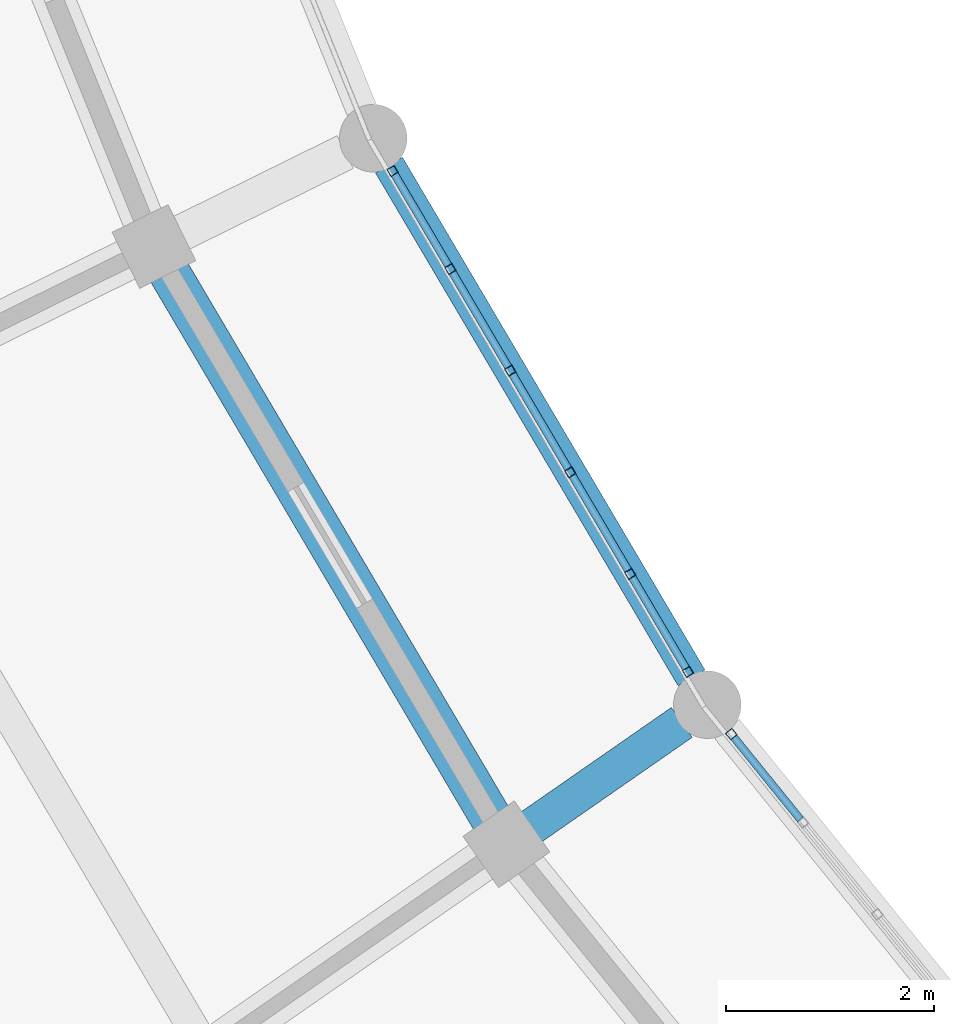
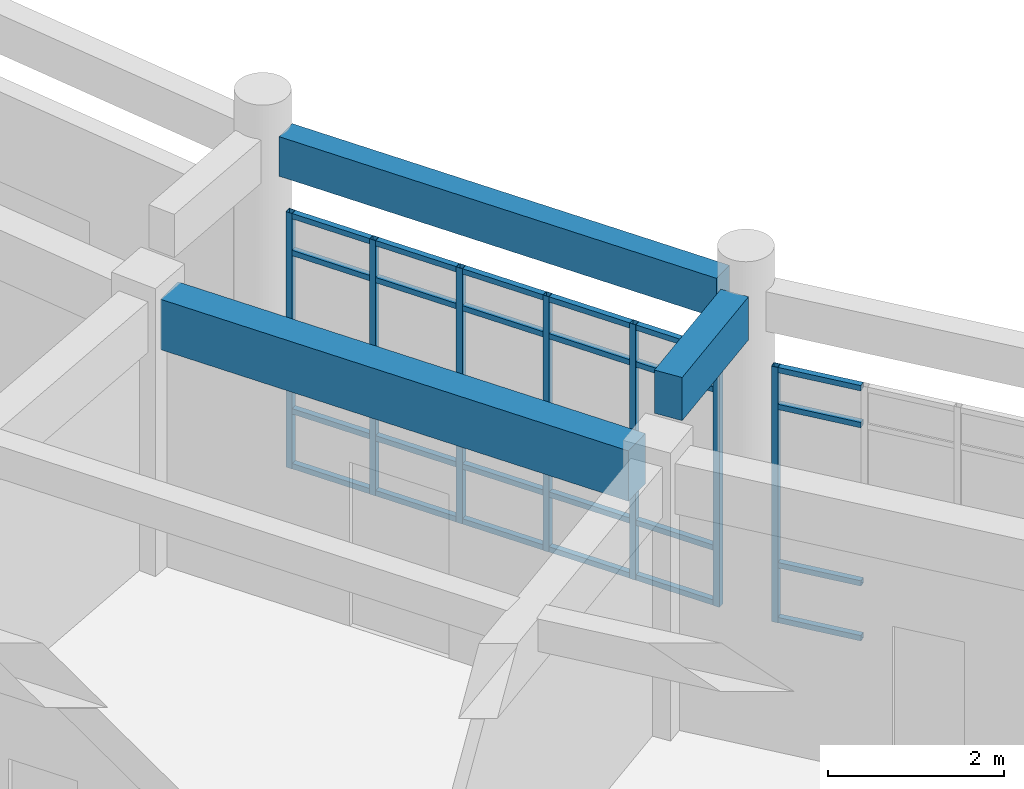
# One storey, part 25 of 159: 31 members, 3 beams, 2 elements without a shape of their own.
"""IFC4 building model written with IfcOpenShell, lengths in metres."""

import ifcopenshell
import ifcopenshell.guid

model = None  # the IFC model being written
_history = None  # IfcOwnerHistory: only IFC2X3 demands one
_inside = {}  # id of a spatial element -> (the spatial element, [elements in it])
_under = {}  # id of a project, library or spatial element -> (it, [spatial elements below it])
_declared = {}  # id of a project -> (the project, [libraries it declares])
_typed = {}  # id of a type object -> (the type object, [elements of that type])
_made_of = {}  # id of a material, layer set ... -> (it, [elements and type objects made of it])


def new_model(schema):
    """Start an empty IFC model of exactly this schema.

    Asked for "IFC4X3", IfcOpenShell would pick the latest addendum, in which some entities
    have other attributes; the version numbers below select the first issue.
    IFC2X3 requires an IfcOwnerHistory on every rooted entity: one is made here for all.
    """
    global model, _history
    if schema == "IFC4X3":
        model = ifcopenshell.file(schema_version=(4, 3, 0, 0))
    else:
        model = ifcopenshell.file(schema=schema)
    _inside.clear()
    _under.clear()
    _declared.clear()
    _typed.clear()
    _made_of.clear()
    _history = None
    if model.schema == "IFC2X3":
        org = make("IfcOrganization", Name="unknown")
        user = make(
            "IfcPersonAndOrganization",
            ThePerson=make("IfcPerson", FamilyName="unknown"),
            TheOrganization=org,
        )
        app = make(
            "IfcApplication",
            ApplicationDeveloper=org,
            Version="unknown",
            ApplicationFullName="unknown",
            ApplicationIdentifier="unknown",
        )
        _history = make(
            "IfcOwnerHistory",
            OwningUser=user,
            OwningApplication=app,
            ChangeAction="ADDED",
            CreationDate=0,
        )
    return model


def make(cls, **values):
    """One entity of the class cls with the attributes given. An attribute that is None is left unset."""
    return model.create_entity(
        cls, **{name: value for name, value in values.items() if value is not None}
    )


def rooted(cls, **values):
    """An entity with a GlobalId (a new one), such as an element, a storey or a relation."""
    return make(cls, GlobalId=ifcopenshell.guid.new(), OwnerHistory=_history, **values)


def si_unit(unit_type, name, prefix=None):
    """IfcSIUnit, for example si_unit("LENGTHUNIT", "METRE", prefix="MILLI")."""
    return make("IfcSIUnit", UnitType=unit_type, Prefix=prefix, Name=name)


def assignment(units):
    """IfcUnitAssignment: the units of a project."""
    return None if units is None else make("IfcUnitAssignment", Units=units)


def point(xyz):
    """IfcCartesianPoint."""
    return None if xyz is None else make("IfcCartesianPoint", Coordinates=xyz)


def direction(xyz):
    """IfcDirection."""
    return None if xyz is None else make("IfcDirection", DirectionRatios=xyz)


def frame(location, z_axis=None, x_axis=None):
    """IfcAxis2Placement3D, a coordinate frame: its origin and axes. An axis left out is left unset."""
    return make(
        "IfcAxis2Placement3D",
        Location=point(location),
        Axis=direction(z_axis),
        RefDirection=direction(x_axis),
    )


def frame_2d(location, x_axis=None):
    """IfcAxis2Placement2D, a coordinate frame in the plane: its origin and x axis."""
    return make(
        "IfcAxis2Placement2D", Location=point(location), RefDirection=direction(x_axis)
    )


def origin():
    """The frame at (0, 0, 0) with its axes left unset."""
    return frame((0.0, 0.0, 0.0))


def origin_2d():
    """The frame at (0, 0) in the plane with its x axis left unset."""
    return frame_2d((0.0, 0.0))


def place(relative_to, where):
    """IfcLocalPlacement: puts the frame where relative to a parent placement (None: the world)."""
    return make(
        "IfcLocalPlacement", PlacementRelTo=relative_to, RelativePlacement=where
    )


def context(
    kind, dimensions, precision=None, world=None, true_north=None, identifier=None
):
    """IfcGeometricRepresentationContext, for example the 3D "Model" context."""
    return make(
        "IfcGeometricRepresentationContext",
        ContextIdentifier=identifier,
        ContextType=kind,
        CoordinateSpaceDimension=dimensions,
        Precision=precision,
        WorldCoordinateSystem=world,
        TrueNorth=true_north,
    )


def subcontext(parent, identifier, kind, view, scale=None):
    """IfcGeometricRepresentationSubContext, for example "Body" below "Model"."""
    return make(
        "IfcGeometricRepresentationSubContext",
        ContextIdentifier=identifier,
        ContextType=kind,
        ParentContext=parent,
        TargetScale=scale,
        TargetView=view,
    )


def project(units=None, contexts=None):
    """IfcProject with its units and contexts."""
    return rooted(
        "IfcProject",
        Name="project",
        RepresentationContexts=contexts,
        UnitsInContext=assignment(units),
    )


def spatial(cls, under=None, at=None, **own):
    """A site, building, storey or space (cls), placed at a placement, below another one or the project."""
    s = rooted(cls, ObjectPlacement=at, **own)
    if under is not None:
        _under.setdefault(under.id(), (under, []))[1].append(s)
    return s


def profile(cls, at=None, kind="AREA", **sizes):
    """A parametric profile (cls). Its sizes go by their IFC names, for example OverallWidth=200.0."""
    return make(cls, ProfileType=kind, Position=at, **sizes)


def rectangle(**sizes):
    """IfcRectangleProfileDef."""
    return profile("IfcRectangleProfileDef", **sizes)


def hollow_rectangle(**sizes):
    """IfcRectangleHollowProfileDef."""
    return profile("IfcRectangleHollowProfileDef", **sizes)


def extrude(swept, where, along, depth):
    """IfcExtrudedAreaSolid: the profile swept, set in the frame where, extruded along a direction by depth."""
    return make(
        "IfcExtrudedAreaSolid",
        SweptArea=swept,
        Position=where,
        ExtrudedDirection=direction(along),
        Depth=depth,
    )


def shape(context_of_items, identifier, shape_type, items):
    """IfcShapeRepresentation: the items that make up one representation, for example the "Body"."""
    return make(
        "IfcShapeRepresentation",
        ContextOfItems=context_of_items,
        RepresentationIdentifier=identifier,
        RepresentationType=shape_type,
        Items=items,
    )


def material(Name=None, Category=None):
    """IfcMaterial."""
    return make("IfcMaterial", Name=Name, Category=Category)


def material_profile(
    of_material, cross_section, Name=None, Category=None, Priority=None
):
    """IfcMaterialProfile: a cross section and its material."""
    return make(
        "IfcMaterialProfile",
        Name=Name,
        Material=of_material,
        Profile=cross_section,
        Priority=Priority,
        Category=Category,
    )


def profile_set(profiles, Name=None, composite=None):
    """IfcMaterialProfileSet."""
    return make(
        "IfcMaterialProfileSet",
        Name=Name,
        MaterialProfiles=profiles,
        CompositeProfile=composite,
    )


def made_of(thing, what):
    """Note that an element or type object is made of a material, layer set ...; save() writes the relation."""
    if what is not None:
        _made_of.setdefault(what.id(), (what, []))[1].append(thing)
    return thing


def type_object(cls, material=None, **own):
    """A type object (cls), such as IfcWallType, which elements share."""
    return made_of(rooted(cls, **own), material)


def element(
    cls,
    number,
    at=None,
    inside=None,
    cuts=None,
    type_object=None,
    material=None,
    context=None,
    identifier="Body",
    shape_type=None,
    held_by="IfcProductDefinitionShape",
    body=None,
    shapes=None,
    **own,
):
    """One element of the class cls, such as IfcWall. Its Tag is "e" and its number.

    at: its placement. inside: the storey or other place that contains it. cuts: it is an
    opening in that element (IfcRelVoidsElement). A single representation is given by context,
    identifier, shape_type and body (its items); several are given by shapes. held_by: the class
    of the entity that holds the representations. save() writes the other relations.
    """
    e = rooted(cls, Tag="e%d" % number, ObjectPlacement=at, **own)
    if body is not None:
        shapes = [shape(context, identifier, shape_type, body)]
    if shapes is not None:
        e.Representation = make(held_by, Representations=shapes)
    if inside is not None:
        _inside.setdefault(inside.id(), (inside, []))[1].append(e)
    if cuts is not None:
        rooted(
            "IfcRelVoidsElement", RelatingBuildingElement=cuts, RelatedOpeningElement=e
        )
    if type_object is not None:
        _typed.setdefault(type_object.id(), (type_object, []))[1].append(e)
    return made_of(e, material)


def aggregate(whole, parts):
    """IfcRelAggregates: a whole, such as a stair, and the parts it consists of."""
    return rooted("IfcRelAggregates", RelatingObject=whole, RelatedObjects=parts)


def save(model, path):
    """Write the relations noted so far, then the file.

    IfcRelAggregates (storeys below a building ...), IfcRelContainedInSpatialStructure (elements
    in a storey), IfcRelDefinesByType, IfcRelAssociatesMaterial and IfcRelDeclares: one each for
    every whole, place, type object, material and project.
    """
    for whole, parts in _under.values():
        aggregate(whole, parts)
    for where, things in _inside.values():
        rooted(
            "IfcRelContainedInSpatialStructure",
            RelatedElements=things,
            RelatingStructure=where,
        )
    for kind, things in _typed.values():
        rooted("IfcRelDefinesByType", RelatedObjects=things, RelatingType=kind)
    for what, things in _made_of.values():
        rooted("IfcRelAssociatesMaterial", RelatedObjects=things, RelatingMaterial=what)
    for by, libraries in _declared.values():
        rooted("IfcRelDeclares", RelatingContext=by, RelatedDefinitions=libraries)
    model.write(path)


model = new_model("IFC4")

# Units and contexts
model_context = context("Model", 3, precision=1e-05, world=origin(), true_north=direction((0.0, 1.0)))
body_context = subcontext(model_context, "Body", "Model", "MODEL_VIEW")
ifc_project = project(units=[si_unit("LENGTHUNIT", "METRE"), si_unit("AREAUNIT", "SQUARE_METRE"), si_unit("VOLUMEUNIT", "CUBIC_METRE"), si_unit("PLANEANGLEUNIT", "RADIAN"), si_unit("MASSUNIT", "GRAM", prefix="KILO")], contexts=[model_context])

# Site, building, storey
site_placement = place(None, origin())
site = spatial("IfcSite", under=ifc_project, at=site_placement, CompositionType="ELEMENT")
building_placement = place(site_placement, origin())
building = spatial("IfcBuilding", under=site, at=building_placement, Name="Celadon Cloister-Ring School", CompositionType="ELEMENT")
storey_placement = place(building_placement, frame((0.0, 0.0, 4.5)))
storey = spatial("IfcBuildingStorey", under=building, at=storey_placement, Name="L01", CompositionType="ELEMENT", Elevation=4.5)

# Beam
ifc_material_1 = material(Name="Concrete C35/45", Category="concrete")
ifc_material_profile_1 = material_profile(ifc_material_1, rectangle(XDim=0.35009765625, YDim=0.60009765625, at=origin_2d()), Name="RC350X600")
ifc_profile_set_1 = profile_set([ifc_material_profile_1], Name="Concrete C35/45")
beam_type_1 = type_object("IfcBeamType", Name="BT-02", PredefinedType="BEAM", material=ifc_profile_set_1)
beam_1_placement = place(storey_placement, frame((50.263916015625, 33.489990234375, 4.35009765625), z_axis=(0.821255410726, 0.570560733273, 0.0), x_axis=(-0.570560733273, 0.821255410726, 0.0)))
element("IfcBeam", 1, at=beam_1_placement, inside=storey, type_object=beam_type_1, Name="Beam 0221", PredefinedType="BEAM", context=body_context, shape_type="SweptSolid", body=[
    extrude(rectangle(XDim=0.35009765625, YDim=0.60009765625, at=origin_2d()), origin(), (0.0, 0.0, 1.0), 1.775390625),
])

# Curtain wall, members
ifc_material_2 = material(Name="Aluminium EN AW-6063 T6", Category="aluminium")
curtain_wall_type = type_object("IfcCurtainWallType", Name="CW-01", PredefinedType="USERDEFINED", material=ifc_material_2)
curtain_wall_1_placement = place(storey_placement, origin())
curtain_wall_1 = element("IfcCurtainWall", 2, at=curtain_wall_1_placement, inside=storey, type_object=curtain_wall_type, Name="Curtain Wall 0027", ObjectType="CURTAIN WALL", PredefinedType="USERDEFINED")
ifc_material_3 = material(Name="Aluminium EN AW-6063 T6", Category="aluminium")
ifc_material_profile_2 = material_profile(ifc_material_3, hollow_rectangle(XDim=0.080078125, YDim=0.080078125, WallThickness=0.00390625, at=origin_2d()), Name="RHS80X80X4")
ifc_profile_set_2 = profile_set([ifc_material_profile_2], Name="Aluminium EN AW-6063 T6")
member_type_1 = type_object("IfcMemberType", Name="CM-03", PredefinedType="MULLION", material=ifc_profile_set_2)
member_1_placement = place(storey_placement, frame((48.943359375, 39.801513671875, 0.0), z_axis=(0.0, 0.0, 1.0), x_axis=(0.861298596788, 0.508099131243, 0.0)))
member_1 = element("IfcMember", 3, at=member_1_placement, type_object=member_type_1, Name="CW-01 mullion 1", PredefinedType="MULLION", context=body_context, shape_type="SweptSolid", body=[
    extrude(hollow_rectangle(XDim=0.080078125, YDim=0.080078125, WallThickness=0.00390625, at=origin_2d()), origin(), (0.0, 0.0, 1.0), 3.550048828125),
])
member_2_placement = place(storey_placement, frame((49.4990234375, 38.859619140625, 0.0), z_axis=(0.0, 0.0, 1.0), x_axis=(0.861298596788, 0.508099131243, 0.0)))
member_2 = element("IfcMember", 4, at=member_2_placement, type_object=member_type_1, Name="CW-01 mullion 2", PredefinedType="MULLION", context=body_context, shape_type="SweptSolid", body=[
    extrude(hollow_rectangle(XDim=0.080078125, YDim=0.080078125, WallThickness=0.00390625, at=origin_2d()), origin(), (0.0, 0.0, 1.0), 3.550048828125),
])
member_3_placement = place(storey_placement, frame((50.074951171875, 37.88330078125, 0.0), z_axis=(0.0, 0.0, 1.0), x_axis=(0.861298596788, 0.508099131243, 0.0)))
member_3 = element("IfcMember", 5, at=member_3_placement, type_object=member_type_1, Name="CW-01 mullion 3", PredefinedType="MULLION", context=body_context, shape_type="SweptSolid", body=[
    extrude(hollow_rectangle(XDim=0.080078125, YDim=0.080078125, WallThickness=0.00390625, at=origin_2d()), origin(), (0.0, 0.0, 1.0), 3.550048828125),
])
member_4_placement = place(storey_placement, frame((50.65087890625, 36.90673828125, 0.0), z_axis=(0.0, 0.0, 1.0), x_axis=(0.861298596788, 0.508099131243, 0.0)))
member_4 = element("IfcMember", 6, at=member_4_placement, type_object=member_type_1, Name="CW-01 mullion 4", PredefinedType="MULLION", context=body_context, shape_type="SweptSolid", body=[
    extrude(hollow_rectangle(XDim=0.080078125, YDim=0.080078125, WallThickness=0.00390625, at=origin_2d()), origin(), (0.0, 0.0, 1.0), 3.550048828125),
])
member_5_placement = place(storey_placement, frame((51.22705078125, 35.930419921875, 0.0), z_axis=(0.0, 0.0, 1.0), x_axis=(0.861298596788, 0.508099131243, 0.0)))
member_5 = element("IfcMember", 7, at=member_5_placement, type_object=member_type_1, Name="CW-01 mullion 5", PredefinedType="MULLION", context=body_context, shape_type="SweptSolid", body=[
    extrude(hollow_rectangle(XDim=0.080078125, YDim=0.080078125, WallThickness=0.00390625, at=origin_2d()), origin(), (0.0, 0.0, 1.0), 3.550048828125),
])
member_6_placement = place(storey_placement, frame((51.78271484375, 34.988525390625, 0.0), z_axis=(0.0, 0.0, 1.0), x_axis=(0.861298596788, 0.508099131243, 0.0)))
member_6 = element("IfcMember", 8, at=member_6_placement, type_object=member_type_1, Name="CW-01 mullion 6", PredefinedType="MULLION", context=body_context, shape_type="SweptSolid", body=[
    extrude(hollow_rectangle(XDim=0.080078125, YDim=0.080078125, WallThickness=0.00390625, at=origin_2d()), origin(), (0.0, 0.0, 1.0), 3.550048828125),
])

# Curtain wall, member
curtain_wall_2_placement = place(storey_placement, origin())
curtain_wall_2 = element("IfcCurtainWall", 9, at=curtain_wall_2_placement, inside=storey, type_object=curtain_wall_type, Name="Curtain Wall 0028", ObjectType="CURTAIN WALL", PredefinedType="USERDEFINED")
member_7_placement = place(storey_placement, frame((52.1982421875, 34.390869140625, 0.0), z_axis=(0.0, 0.0, 1.0), x_axis=(0.777068192474, 0.629416415615, 0.0)))
member_7 = element("IfcMember", 10, at=member_7_placement, type_object=member_type_1, Name="CW-01 mullion 1", PredefinedType="MULLION", context=body_context, shape_type="SweptSolid", body=[
    extrude(hollow_rectangle(XDim=0.080078125, YDim=0.080078125, WallThickness=0.00390625, at=origin_2d()), origin(), (0.0, 0.0, 1.0), 3.550048828125),
])

# Member
ifc_material_4 = material(Name="Aluminium EN AW-6063 T6", Category="aluminium")
ifc_material_profile_3 = material_profile(ifc_material_4, hollow_rectangle(XDim=0.074951171875, YDim=0.074951171875, WallThickness=0.00390625, at=origin_2d()), Name="RHS75X75X4")
ifc_profile_set_3 = profile_set([ifc_material_profile_3], Name="Aluminium EN AW-6063 T6")
member_type_2 = type_object("IfcMemberType", Name="CTM-03", PredefinedType="USERDEFINED", material=ifc_profile_set_3)
member_8_placement = place(storey_placement, frame((48.963623046875, 39.76708984375, 0.03759765625), z_axis=(0.508177446212, -0.861252392253, 0.0), x_axis=(0.861252392253, 0.508177446212, 0.0)))
member_8 = element("IfcMember", 11, at=member_8_placement, type_object=member_type_2, Name="CW-01 transom 1.1", ObjectType="TRANSOM", PredefinedType="USERDEFINED", context=body_context, shape_type="SweptSolid", body=[
    extrude(hollow_rectangle(XDim=0.074951171875, YDim=0.074951171875, WallThickness=0.00390625, at=origin_2d()), origin(), (0.0, 0.0, 1.0), 1.013671875),
])

member_9_placement = place(storey_placement, frame((48.963623046875, 39.76708984375, 0.800048828125), z_axis=(0.508177446212, -0.861252392253, 0.0), x_axis=(0.861252392253, 0.508177446212, 0.0)))
member_9 = element("IfcMember", 12, at=member_9_placement, type_object=member_type_2, Name="CW-01 transom 1.2", ObjectType="TRANSOM", PredefinedType="USERDEFINED", context=body_context, shape_type="SweptSolid", body=[
    extrude(hollow_rectangle(XDim=0.074951171875, YDim=0.074951171875, WallThickness=0.00390625, at=origin_2d()), origin(), (0.0, 0.0, 1.0), 1.013671875),
])

member_10_placement = place(storey_placement, frame((48.963623046875, 39.76708984375, 3.0), z_axis=(0.508177446212, -0.861252392253, 0.0), x_axis=(0.861252392253, 0.508177446212, 0.0)))
member_10 = element("IfcMember", 13, at=member_10_placement, type_object=member_type_2, Name="CW-01 transom 1.3", ObjectType="TRANSOM", PredefinedType="USERDEFINED", context=body_context, shape_type="SweptSolid", body=[
    extrude(hollow_rectangle(XDim=0.074951171875, YDim=0.074951171875, WallThickness=0.00390625, at=origin_2d()), origin(), (0.0, 0.0, 1.0), 1.013671875),
])

member_11_placement = place(storey_placement, frame((48.963623046875, 39.76708984375, 3.512451171875), z_axis=(0.508177446212, -0.861252392253, 0.0), x_axis=(0.861252392253, 0.508177446212, 0.0)))
member_11 = element("IfcMember", 14, at=member_11_placement, type_object=member_type_2, Name="CW-01 transom 1.4", ObjectType="TRANSOM", PredefinedType="USERDEFINED", context=body_context, shape_type="SweptSolid", body=[
    extrude(hollow_rectangle(XDim=0.074951171875, YDim=0.074951171875, WallThickness=0.00390625, at=origin_2d()), origin(), (0.0, 0.0, 1.0), 1.013671875),
])

member_12_placement = place(storey_placement, frame((49.519287109375, 38.8251953125, 0.03759765625), z_axis=(0.508143705564, -0.861272299854, 0.0), x_axis=(0.861272299854, 0.508143705564, 0.0)))
member_12 = element("IfcMember", 15, at=member_12_placement, type_object=member_type_2, Name="CW-01 transom 2.1", ObjectType="TRANSOM", PredefinedType="USERDEFINED", context=body_context, shape_type="SweptSolid", body=[
    extrude(hollow_rectangle(XDim=0.074951171875, YDim=0.074951171875, WallThickness=0.00390625, at=origin_2d()), origin(), (0.0, 0.0, 1.0), 1.0537109375),
])

member_13_placement = place(storey_placement, frame((49.519287109375, 38.8251953125, 0.800048828125), z_axis=(0.508143705564, -0.861272299854, 0.0), x_axis=(0.861272299854, 0.508143705564, 0.0)))
member_13 = element("IfcMember", 16, at=member_13_placement, type_object=member_type_2, Name="CW-01 transom 2.2", ObjectType="TRANSOM", PredefinedType="USERDEFINED", context=body_context, shape_type="SweptSolid", body=[
    extrude(hollow_rectangle(XDim=0.074951171875, YDim=0.074951171875, WallThickness=0.00390625, at=origin_2d()), origin(), (0.0, 0.0, 1.0), 1.0537109375),
])

member_14_placement = place(storey_placement, frame((49.519287109375, 38.8251953125, 3.0), z_axis=(0.508143705564, -0.861272299854, 0.0), x_axis=(0.861272299854, 0.508143705564, 0.0)))
member_14 = element("IfcMember", 17, at=member_14_placement, type_object=member_type_2, Name="CW-01 transom 2.3", ObjectType="TRANSOM", PredefinedType="USERDEFINED", context=body_context, shape_type="SweptSolid", body=[
    extrude(hollow_rectangle(XDim=0.074951171875, YDim=0.074951171875, WallThickness=0.00390625, at=origin_2d()), origin(), (0.0, 0.0, 1.0), 1.0537109375),
])

member_15_placement = place(storey_placement, frame((49.519287109375, 38.8251953125, 3.512451171875), z_axis=(0.508143705564, -0.861272299854, 0.0), x_axis=(0.861272299854, 0.508143705564, 0.0)))
member_15 = element("IfcMember", 18, at=member_15_placement, type_object=member_type_2, Name="CW-01 transom 2.4", ObjectType="TRANSOM", PredefinedType="USERDEFINED", context=body_context, shape_type="SweptSolid", body=[
    extrude(hollow_rectangle(XDim=0.074951171875, YDim=0.074951171875, WallThickness=0.00390625, at=origin_2d()), origin(), (0.0, 0.0, 1.0), 1.0537109375),
])

member_16_placement = place(storey_placement, frame((50.09521484375, 37.8486328125, 0.03759765625), z_axis=(0.508143705564, -0.861272299854, 0.0), x_axis=(0.861272299854, 0.508143705564, 0.0)))
member_16 = element("IfcMember", 19, at=member_16_placement, type_object=member_type_2, Name="CW-01 transom 3.1", ObjectType="TRANSOM", PredefinedType="USERDEFINED", context=body_context, shape_type="SweptSolid", body=[
    extrude(hollow_rectangle(XDim=0.074951171875, YDim=0.074951171875, WallThickness=0.00390625, at=origin_2d()), origin(), (0.0, 0.0, 1.0), 1.0537109375),
])

member_17_placement = place(storey_placement, frame((50.09521484375, 37.8486328125, 0.800048828125), z_axis=(0.508143705564, -0.861272299854, 0.0), x_axis=(0.861272299854, 0.508143705564, 0.0)))
member_17 = element("IfcMember", 20, at=member_17_placement, type_object=member_type_2, Name="CW-01 transom 3.2", ObjectType="TRANSOM", PredefinedType="USERDEFINED", context=body_context, shape_type="SweptSolid", body=[
    extrude(hollow_rectangle(XDim=0.074951171875, YDim=0.074951171875, WallThickness=0.00390625, at=origin_2d()), origin(), (0.0, 0.0, 1.0), 1.0537109375),
])

member_18_placement = place(storey_placement, frame((50.09521484375, 37.8486328125, 3.0), z_axis=(0.508143705564, -0.861272299854, 0.0), x_axis=(0.861272299854, 0.508143705564, 0.0)))
member_18 = element("IfcMember", 21, at=member_18_placement, type_object=member_type_2, Name="CW-01 transom 3.3", ObjectType="TRANSOM", PredefinedType="USERDEFINED", context=body_context, shape_type="SweptSolid", body=[
    extrude(hollow_rectangle(XDim=0.074951171875, YDim=0.074951171875, WallThickness=0.00390625, at=origin_2d()), origin(), (0.0, 0.0, 1.0), 1.0537109375),
])

member_19_placement = place(storey_placement, frame((50.09521484375, 37.8486328125, 3.512451171875), z_axis=(0.508143705564, -0.861272299854, 0.0), x_axis=(0.861272299854, 0.508143705564, 0.0)))
member_19 = element("IfcMember", 22, at=member_19_placement, type_object=member_type_2, Name="CW-01 transom 3.4", ObjectType="TRANSOM", PredefinedType="USERDEFINED", context=body_context, shape_type="SweptSolid", body=[
    extrude(hollow_rectangle(XDim=0.074951171875, YDim=0.074951171875, WallThickness=0.00390625, at=origin_2d()), origin(), (0.0, 0.0, 1.0), 1.0537109375),
])

member_20_placement = place(storey_placement, frame((50.67138671875, 36.872314453125, 0.03759765625), z_axis=(0.508143705564, -0.861272299854, 0.0), x_axis=(0.861272299854, 0.508143705564, 0.0)))
member_20 = element("IfcMember", 23, at=member_20_placement, type_object=member_type_2, Name="CW-01 transom 4.1", ObjectType="TRANSOM", PredefinedType="USERDEFINED", context=body_context, shape_type="SweptSolid", body=[
    extrude(hollow_rectangle(XDim=0.074951171875, YDim=0.074951171875, WallThickness=0.00390625, at=origin_2d()), origin(), (0.0, 0.0, 1.0), 1.0537109375),
])

member_21_placement = place(storey_placement, frame((50.67138671875, 36.872314453125, 0.800048828125), z_axis=(0.508143705564, -0.861272299854, 0.0), x_axis=(0.861272299854, 0.508143705564, 0.0)))
member_21 = element("IfcMember", 24, at=member_21_placement, type_object=member_type_2, Name="CW-01 transom 4.2", ObjectType="TRANSOM", PredefinedType="USERDEFINED", context=body_context, shape_type="SweptSolid", body=[
    extrude(hollow_rectangle(XDim=0.074951171875, YDim=0.074951171875, WallThickness=0.00390625, at=origin_2d()), origin(), (0.0, 0.0, 1.0), 1.0537109375),
])

member_22_placement = place(storey_placement, frame((50.67138671875, 36.872314453125, 3.0), z_axis=(0.508143705564, -0.861272299854, 0.0), x_axis=(0.861272299854, 0.508143705564, 0.0)))
member_22 = element("IfcMember", 25, at=member_22_placement, type_object=member_type_2, Name="CW-01 transom 4.3", ObjectType="TRANSOM", PredefinedType="USERDEFINED", context=body_context, shape_type="SweptSolid", body=[
    extrude(hollow_rectangle(XDim=0.074951171875, YDim=0.074951171875, WallThickness=0.00390625, at=origin_2d()), origin(), (0.0, 0.0, 1.0), 1.0537109375),
])

member_23_placement = place(storey_placement, frame((50.67138671875, 36.872314453125, 3.512451171875), z_axis=(0.508143705564, -0.861272299854, 0.0), x_axis=(0.861272299854, 0.508143705564, 0.0)))
member_23 = element("IfcMember", 26, at=member_23_placement, type_object=member_type_2, Name="CW-01 transom 4.4", ObjectType="TRANSOM", PredefinedType="USERDEFINED", context=body_context, shape_type="SweptSolid", body=[
    extrude(hollow_rectangle(XDim=0.074951171875, YDim=0.074951171875, WallThickness=0.00390625, at=origin_2d()), origin(), (0.0, 0.0, 1.0), 1.0537109375),
])

member_24_placement = place(storey_placement, frame((51.247314453125, 35.89599609375, 0.03759765625), z_axis=(0.508177446212, -0.861252392253, 0.0), x_axis=(0.861252392253, 0.508177446212, 0.0)))
member_24 = element("IfcMember", 27, at=member_24_placement, type_object=member_type_2, Name="CW-01 transom 5.1", ObjectType="TRANSOM", PredefinedType="USERDEFINED", context=body_context, shape_type="SweptSolid", body=[
    extrude(hollow_rectangle(XDim=0.074951171875, YDim=0.074951171875, WallThickness=0.00390625, at=origin_2d()), origin(), (0.0, 0.0, 1.0), 1.013671875),
])

member_25_placement = place(storey_placement, frame((51.247314453125, 35.89599609375, 0.800048828125), z_axis=(0.508177446212, -0.861252392253, 0.0), x_axis=(0.861252392253, 0.508177446212, 0.0)))
member_25 = element("IfcMember", 28, at=member_25_placement, type_object=member_type_2, Name="CW-01 transom 5.2", ObjectType="TRANSOM", PredefinedType="USERDEFINED", context=body_context, shape_type="SweptSolid", body=[
    extrude(hollow_rectangle(XDim=0.074951171875, YDim=0.074951171875, WallThickness=0.00390625, at=origin_2d()), origin(), (0.0, 0.0, 1.0), 1.013671875),
])

member_26_placement = place(storey_placement, frame((51.247314453125, 35.89599609375, 3.0), z_axis=(0.508177446212, -0.861252392253, 0.0), x_axis=(0.861252392253, 0.508177446212, 0.0)))
member_26 = element("IfcMember", 29, at=member_26_placement, type_object=member_type_2, Name="CW-01 transom 5.3", ObjectType="TRANSOM", PredefinedType="USERDEFINED", context=body_context, shape_type="SweptSolid", body=[
    extrude(hollow_rectangle(XDim=0.074951171875, YDim=0.074951171875, WallThickness=0.00390625, at=origin_2d()), origin(), (0.0, 0.0, 1.0), 1.013671875),
])

member_27_placement = place(storey_placement, frame((51.247314453125, 35.89599609375, 3.512451171875), z_axis=(0.508177446212, -0.861252392253, 0.0), x_axis=(0.861252392253, 0.508177446212, 0.0)))
member_27 = element("IfcMember", 30, at=member_27_placement, type_object=member_type_2, Name="CW-01 transom 5.4", ObjectType="TRANSOM", PredefinedType="USERDEFINED", context=body_context, shape_type="SweptSolid", body=[
    extrude(hollow_rectangle(XDim=0.074951171875, YDim=0.074951171875, WallThickness=0.00390625, at=origin_2d()), origin(), (0.0, 0.0, 1.0), 1.013671875),
])

aggregate(curtain_wall_1, [member_1, member_2, member_3, member_4, member_5, member_6, member_8, member_9, member_10, member_11, member_12, member_13, member_14, member_15, member_16, member_17, member_18, member_19, member_20, member_21, member_22, member_23, member_24, member_25, member_26, member_27])

member_28_placement = place(storey_placement, frame((52.223388671875, 34.35986328125, 0.03759765625), z_axis=(0.629295216568, -0.777166346676, 0.0), x_axis=(0.777166346676, 0.629295216568, 0.0)))
member_28 = element("IfcMember", 31, at=member_28_placement, type_object=member_type_2, Name="CW-01 transom 1.1", ObjectType="TRANSOM", PredefinedType="USERDEFINED", context=body_context, shape_type="SweptSolid", body=[
    extrude(hollow_rectangle(XDim=0.074951171875, YDim=0.074951171875, WallThickness=0.00390625, at=origin_2d()), origin(), (0.0, 0.0, 1.0), 1.013671875),
])

member_29_placement = place(storey_placement, frame((52.223388671875, 34.35986328125, 0.800048828125), z_axis=(0.629295216568, -0.777166346676, 0.0), x_axis=(0.777166346676, 0.629295216568, 0.0)))
member_29 = element("IfcMember", 32, at=member_29_placement, type_object=member_type_2, Name="CW-01 transom 1.2", ObjectType="TRANSOM", PredefinedType="USERDEFINED", context=body_context, shape_type="SweptSolid", body=[
    extrude(hollow_rectangle(XDim=0.074951171875, YDim=0.074951171875, WallThickness=0.00390625, at=origin_2d()), origin(), (0.0, 0.0, 1.0), 1.013671875),
])

member_30_placement = place(storey_placement, frame((52.223388671875, 34.35986328125, 3.0), z_axis=(0.629295216568, -0.777166346676, 0.0), x_axis=(0.777166346676, 0.629295216568, 0.0)))
member_30 = element("IfcMember", 33, at=member_30_placement, type_object=member_type_2, Name="CW-01 transom 1.3", ObjectType="TRANSOM", PredefinedType="USERDEFINED", context=body_context, shape_type="SweptSolid", body=[
    extrude(hollow_rectangle(XDim=0.074951171875, YDim=0.074951171875, WallThickness=0.00390625, at=origin_2d()), origin(), (0.0, 0.0, 1.0), 1.013671875),
])

member_31_placement = place(storey_placement, frame((52.223388671875, 34.35986328125, 3.512451171875), z_axis=(0.629295216568, -0.777166346676, 0.0), x_axis=(0.777166346676, 0.629295216568, 0.0)))
member_31 = element("IfcMember", 34, at=member_31_placement, type_object=member_type_2, Name="CW-01 transom 1.4", ObjectType="TRANSOM", PredefinedType="USERDEFINED", context=body_context, shape_type="SweptSolid", body=[
    extrude(hollow_rectangle(XDim=0.074951171875, YDim=0.074951171875, WallThickness=0.00390625, at=origin_2d()), origin(), (0.0, 0.0, 1.0), 1.013671875),
])

aggregate(curtain_wall_2, [member_7, member_28, member_29, member_30, member_31])

# Beams
ifc_material_5 = material(Name="Concrete C35/45", Category="concrete")
ifc_material_profile_4 = material_profile(ifc_material_5, rectangle(XDim=0.39990234375, YDim=0.699951171875, at=origin_2d()), Name="RC400X700")
ifc_profile_set_4 = profile_set([ifc_material_profile_4], Name="Concrete C35/45")
beam_type_2 = type_object("IfcBeamType", Name="GT-03", PredefinedType="USERDEFINED", material=ifc_profile_set_4)
beam_2_placement = place(storey_placement, frame((46.791015625, 38.839111328125, 3.429931640625), z_axis=(0.507930348114, -0.861398143407, 0.0), x_axis=(0.861398143407, 0.507930348114, 0.0)))
element("IfcBeam", 35, at=beam_2_placement, inside=storey, type_object=beam_type_2, Name="Beam 0306", ObjectType="GIRDER", PredefinedType="USERDEFINED", context=body_context, shape_type="SweptSolid", body=[
    extrude(rectangle(XDim=0.39990234375, YDim=0.699951171875, at=origin_2d()), origin(), (0.0, 0.0, 1.0), 6.116943359375),
])
ifc_material_6 = material(Name="Concrete C35/45", Category="concrete")
ifc_material_profile_5 = material_profile(ifc_material_6, rectangle(XDim=0.300048828125, YDim=0.550048828125, at=origin_2d()), Name="RC300X550")
ifc_profile_set_5 = profile_set([ifc_material_profile_5], Name="Concrete C35/45")
beam_type_3 = type_object("IfcBeamType", Name="SP-02", PredefinedType="SPANDREL", material=ifc_profile_set_5)
beam_3_placement = place(storey_placement, frame((48.909912109375, 39.85791015625, 4.375), z_axis=(0.508103580929, -0.861295971805, 0.0), x_axis=(0.861295971805, 0.508103580929, 0.0)))
element("IfcBeam", 36, at=beam_3_placement, inside=storey, type_object=beam_type_3, Name="Beam 0307", PredefinedType="SPANDREL", context=body_context, shape_type="SweptSolid", body=[
    extrude(rectangle(XDim=0.300048828125, YDim=0.550048828125, at=origin_2d()), origin(), (0.0, 0.0, 1.0), 5.71923828125),
])

save(model, "model.ifc")
